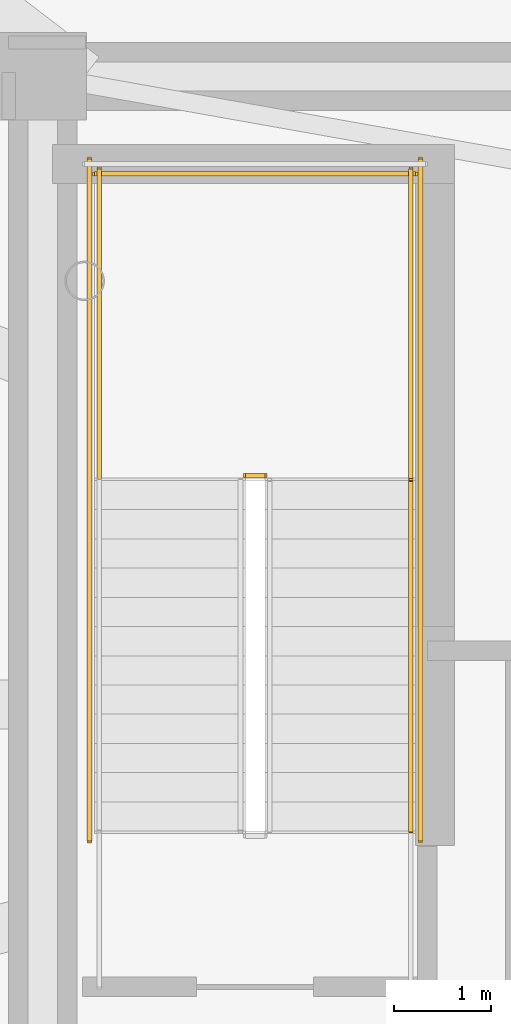
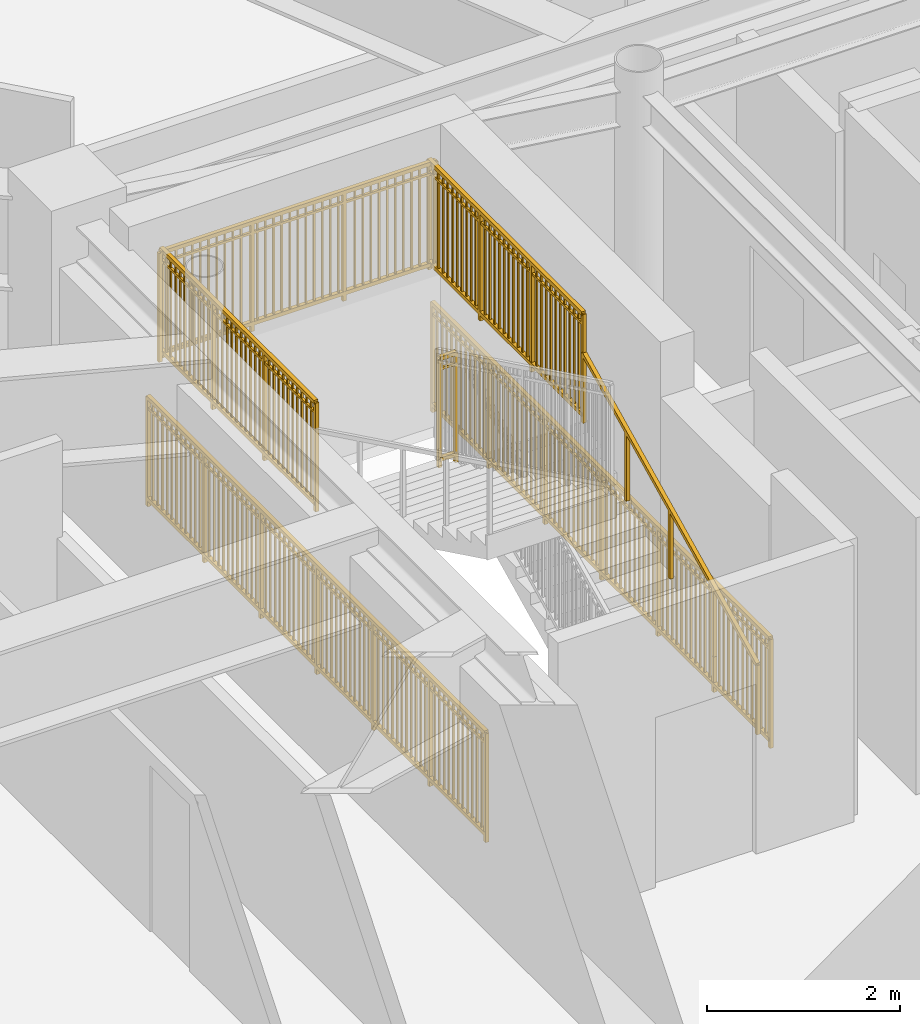
# One storey, part 15 of 16: 7 railings.
"""IFC4 building model written with IfcOpenShell, lengths in metres."""

import ifcopenshell
import ifcopenshell.guid

model = None  # the IFC model being written
_history = None  # IfcOwnerHistory: only IFC2X3 demands one
_inside = {}  # id of a spatial element -> (the spatial element, [elements in it])
_under = {}  # id of a project, library or spatial element -> (it, [spatial elements below it])
_declared = {}  # id of a project -> (the project, [libraries it declares])
_typed = {}  # id of a type object -> (the type object, [elements of that type])
_made_of = {}  # id of a material, layer set ... -> (it, [elements and type objects made of it])


def new_model(schema):
    """Start an empty IFC model of exactly this schema.

    Asked for "IFC4X3", IfcOpenShell would pick the latest addendum, in which some entities
    have other attributes; the version numbers below select the first issue.
    IFC2X3 requires an IfcOwnerHistory on every rooted entity: one is made here for all.
    """
    global model, _history
    if schema == "IFC4X3":
        model = ifcopenshell.file(schema_version=(4, 3, 0, 0))
    else:
        model = ifcopenshell.file(schema=schema)
    _inside.clear()
    _under.clear()
    _declared.clear()
    _typed.clear()
    _made_of.clear()
    _history = None
    if model.schema == "IFC2X3":
        org = make("IfcOrganization", Name="unknown")
        user = make(
            "IfcPersonAndOrganization",
            ThePerson=make("IfcPerson", FamilyName="unknown"),
            TheOrganization=org,
        )
        app = make(
            "IfcApplication",
            ApplicationDeveloper=org,
            Version="unknown",
            ApplicationFullName="unknown",
            ApplicationIdentifier="unknown",
        )
        _history = make(
            "IfcOwnerHistory",
            OwningUser=user,
            OwningApplication=app,
            ChangeAction="ADDED",
            CreationDate=0,
        )
    return model


def make(cls, **values):
    """One entity of the class cls with the attributes given. An attribute that is None is left unset."""
    return model.create_entity(
        cls, **{name: value for name, value in values.items() if value is not None}
    )


def rooted(cls, **values):
    """An entity with a GlobalId (a new one), such as an element, a storey or a relation."""
    return make(cls, GlobalId=ifcopenshell.guid.new(), OwnerHistory=_history, **values)


def si_unit(unit_type, name, prefix=None):
    """IfcSIUnit, for example si_unit("LENGTHUNIT", "METRE", prefix="MILLI")."""
    return make("IfcSIUnit", UnitType=unit_type, Prefix=prefix, Name=name)


def assignment(units):
    """IfcUnitAssignment: the units of a project."""
    return None if units is None else make("IfcUnitAssignment", Units=units)


def point(xyz):
    """IfcCartesianPoint."""
    return None if xyz is None else make("IfcCartesianPoint", Coordinates=xyz)


def direction(xyz):
    """IfcDirection."""
    return None if xyz is None else make("IfcDirection", DirectionRatios=xyz)


def frame(location, z_axis=None, x_axis=None):
    """IfcAxis2Placement3D, a coordinate frame: its origin and axes. An axis left out is left unset."""
    return make(
        "IfcAxis2Placement3D",
        Location=point(location),
        Axis=direction(z_axis),
        RefDirection=direction(x_axis),
    )


def frame_2d(location, x_axis=None):
    """IfcAxis2Placement2D, a coordinate frame in the plane: its origin and x axis."""
    return make(
        "IfcAxis2Placement2D", Location=point(location), RefDirection=direction(x_axis)
    )


def origin():
    """The frame at (0, 0, 0) with its axes left unset."""
    return frame((0.0, 0.0, 0.0))


def origin_2d():
    """The frame at (0, 0) in the plane with its x axis left unset."""
    return frame_2d((0.0, 0.0))


def place(relative_to, where):
    """IfcLocalPlacement: puts the frame where relative to a parent placement (None: the world)."""
    return make(
        "IfcLocalPlacement", PlacementRelTo=relative_to, RelativePlacement=where
    )


def context(
    kind, dimensions, precision=None, world=None, true_north=None, identifier=None
):
    """IfcGeometricRepresentationContext, for example the 3D "Model" context."""
    return make(
        "IfcGeometricRepresentationContext",
        ContextIdentifier=identifier,
        ContextType=kind,
        CoordinateSpaceDimension=dimensions,
        Precision=precision,
        WorldCoordinateSystem=world,
        TrueNorth=true_north,
    )


def subcontext(parent, identifier, kind, view, scale=None):
    """IfcGeometricRepresentationSubContext, for example "Body" below "Model"."""
    return make(
        "IfcGeometricRepresentationSubContext",
        ContextIdentifier=identifier,
        ContextType=kind,
        ParentContext=parent,
        TargetScale=scale,
        TargetView=view,
    )


def project(units=None, contexts=None):
    """IfcProject with its units and contexts."""
    return rooted(
        "IfcProject",
        Name="project",
        RepresentationContexts=contexts,
        UnitsInContext=assignment(units),
    )


def spatial(cls, under=None, at=None, **own):
    """A site, building, storey or space (cls), placed at a placement, below another one or the project."""
    s = rooted(cls, ObjectPlacement=at, **own)
    if under is not None:
        _under.setdefault(under.id(), (under, []))[1].append(s)
    return s


def profile(cls, at=None, kind="AREA", **sizes):
    """A parametric profile (cls). Its sizes go by their IFC names, for example OverallWidth=200.0."""
    return make(cls, ProfileType=kind, Position=at, **sizes)


def rectangle(**sizes):
    """IfcRectangleProfileDef."""
    return profile("IfcRectangleProfileDef", **sizes)


def extrude(swept, where, along, depth):
    """IfcExtrudedAreaSolid: the profile swept, set in the frame where, extruded along a direction by depth."""
    return make(
        "IfcExtrudedAreaSolid",
        SweptArea=swept,
        Position=where,
        ExtrudedDirection=direction(along),
        Depth=depth,
    )


def shape(context_of_items, identifier, shape_type, items):
    """IfcShapeRepresentation: the items that make up one representation, for example the "Body"."""
    return make(
        "IfcShapeRepresentation",
        ContextOfItems=context_of_items,
        RepresentationIdentifier=identifier,
        RepresentationType=shape_type,
        Items=items,
    )


def source(mapping_origin, context_of_items, identifier, shape_type, items):
    """IfcRepresentationMap: a shape defined once, which mapped items show again and again."""
    return make(
        "IfcRepresentationMap",
        MappingOrigin=mapping_origin,
        MappedRepresentation=shape(context_of_items, identifier, shape_type, items),
    )


def transform(
    local_origin,
    x_axis=None,
    y_axis=None,
    z_axis=None,
    scale=None,
    scale2=None,
    scale3=None,
    uniform=True,
):
    """IfcCartesianTransformationOperator3D, or its non-uniform kind. x_axis, y_axis, z_axis: its Axis1, 2, 3."""
    if uniform:
        return make(
            "IfcCartesianTransformationOperator3D",
            Axis1=direction(x_axis),
            Axis2=direction(y_axis),
            LocalOrigin=point(local_origin),
            Scale=scale,
            Axis3=direction(z_axis),
        )
    return make(
        "IfcCartesianTransformationOperator3DnonUniform",
        Axis1=direction(x_axis),
        Axis2=direction(y_axis),
        LocalOrigin=point(local_origin),
        Scale=scale,
        Axis3=direction(z_axis),
        Scale2=scale2,
        Scale3=scale3,
    )


def mapped(mapping_source, mapping_target):
    """IfcMappedItem: shows the shape of a source again, moved by a transform."""
    return make(
        "IfcMappedItem", MappingSource=mapping_source, MappingTarget=mapping_target
    )


def material(Name=None, Category=None):
    """IfcMaterial."""
    return make("IfcMaterial", Name=Name, Category=Category)


def made_of(thing, what):
    """Note that an element or type object is made of a material, layer set ...; save() writes the relation."""
    if what is not None:
        _made_of.setdefault(what.id(), (what, []))[1].append(thing)
    return thing


def type_object(cls, material=None, **own):
    """A type object (cls), such as IfcWallType, which elements share."""
    return made_of(rooted(cls, **own), material)


def element(
    cls,
    number,
    at=None,
    inside=None,
    cuts=None,
    type_object=None,
    material=None,
    context=None,
    identifier="Body",
    shape_type=None,
    held_by="IfcProductDefinitionShape",
    body=None,
    shapes=None,
    **own,
):
    """One element of the class cls, such as IfcWall. Its Tag is "e" and its number.

    at: its placement. inside: the storey or other place that contains it. cuts: it is an
    opening in that element (IfcRelVoidsElement). A single representation is given by context,
    identifier, shape_type and body (its items); several are given by shapes. held_by: the class
    of the entity that holds the representations. save() writes the other relations.
    """
    e = rooted(cls, Tag="e%d" % number, ObjectPlacement=at, **own)
    if body is not None:
        shapes = [shape(context, identifier, shape_type, body)]
    if shapes is not None:
        e.Representation = make(held_by, Representations=shapes)
    if inside is not None:
        _inside.setdefault(inside.id(), (inside, []))[1].append(e)
    if cuts is not None:
        rooted(
            "IfcRelVoidsElement", RelatingBuildingElement=cuts, RelatedOpeningElement=e
        )
    if type_object is not None:
        _typed.setdefault(type_object.id(), (type_object, []))[1].append(e)
    return made_of(e, material)


def aggregate(whole, parts):
    """IfcRelAggregates: a whole, such as a stair, and the parts it consists of."""
    return rooted("IfcRelAggregates", RelatingObject=whole, RelatedObjects=parts)


def save(model, path):
    """Write the relations noted so far, then the file.

    IfcRelAggregates (storeys below a building ...), IfcRelContainedInSpatialStructure (elements
    in a storey), IfcRelDefinesByType, IfcRelAssociatesMaterial and IfcRelDeclares: one each for
    every whole, place, type object, material and project.
    """
    for whole, parts in _under.values():
        aggregate(whole, parts)
    for where, things in _inside.values():
        rooted(
            "IfcRelContainedInSpatialStructure",
            RelatedElements=things,
            RelatingStructure=where,
        )
    for kind, things in _typed.values():
        rooted("IfcRelDefinesByType", RelatedObjects=things, RelatingType=kind)
    for what, things in _made_of.values():
        rooted("IfcRelAssociatesMaterial", RelatedObjects=things, RelatingMaterial=what)
    for by, libraries in _declared.values():
        rooted("IfcRelDeclares", RelatingContext=by, RelatedDefinitions=libraries)
    model.write(path)


model = new_model("IFC4")

# Units and contexts
model_context = context("Model", 3, precision=1e-05, world=origin(), true_north=direction((0.0, 1.0)))
body_context = subcontext(model_context, "Body", "Model", "MODEL_VIEW")
ifc_project = project(units=[si_unit("LENGTHUNIT", "METRE"), si_unit("AREAUNIT", "SQUARE_METRE"), si_unit("VOLUMEUNIT", "CUBIC_METRE"), si_unit("PLANEANGLEUNIT", "RADIAN"), si_unit("MASSUNIT", "GRAM", prefix="KILO")], contexts=[model_context])

# Site, building, storey
site_placement = place(None, origin())
site = spatial("IfcSite", under=ifc_project, at=site_placement, CompositionType="ELEMENT")
building_placement = place(site_placement, origin())
building = spatial("IfcBuilding", under=site, at=building_placement, Name="Linh Dai School and Residence Tower", CompositionType="ELEMENT")
storey_placement = place(building_placement, frame((0.0, 0.0, 343.0)))
storey = spatial("IfcBuildingStorey", under=building, at=storey_placement, Name="L85", CompositionType="ELEMENT", Elevation=343.0)

# Railings
ifc_material_1 = material(Name="Structural Steel S355JR", Category="steel")
railing_type_1 = type_object("IfcRailingType", Name="RL-ST-GUARD-1400", PredefinedType="GUARDRAIL", material=ifc_material_1)
shared_shape_1 = source(origin(), body_context, "Body", "SweptSolid", [
    extrude(rectangle(XDim=0.048095703125, YDim=0.048095703125, at=origin_2d()), frame((0.0, 0.0, 1.3759765625), z_axis=(-1.0, 0.0, 0.0), x_axis=(0.0, -1.0, 0.0)), (0.0, 0.0, 1.0), 0.199951171875),
    extrude(rectangle(XDim=0.048095703125, YDim=0.048095703125, at=origin_2d()), frame((0.0, 0.0, 0.10009765625), z_axis=(-1.0, 0.0, 0.0), x_axis=(0.0, -1.0, 0.0)), (0.0, 0.0, 1.0), 0.199951171875),
    extrude(rectangle(XDim=0.030029296875, YDim=0.030029296875, at=origin_2d()), frame((0.0, 0.0, 1.239990234375), z_axis=(-1.0, 0.0, 0.0), x_axis=(0.0, -1.0, 0.0)), (0.0, 0.0, 1.0), 0.199951171875),
    extrude(rectangle(XDim=0.0419921875, YDim=0.0419921875, at=origin_2d()), origin(), (0.0, 0.0, 1.0), 1.3759765625),
    extrude(rectangle(XDim=0.0419921875, YDim=0.0419921875, at=origin_2d()), frame((-0.199951171875, 0.0, 0.0)), (0.0, 0.0, 1.0), 1.3759765625),
])
railing_1_placement = place(storey_placement, frame((29.429931640625, 29.35009765625, 1.89990234375)))
element("IfcRailing", 1, at=railing_1_placement, inside=storey, type_object=railing_type_1, Name="L85 ST1 stair guard 2", PredefinedType="GUARDRAIL", context=body_context, shape_type="MappedRepresentation", body=[
    mapped(shared_shape_1, transform((0.0, 0.0, 0.0), x_axis=(1.0, 0.0, 0.0), y_axis=(0.0, 1.0, 0.0), z_axis=(0.0, 0.0, 1.0), scale=1.0)),
])
shared_shape_2 = source(origin(), body_context, "Body", "SweptSolid", [
    extrude(rectangle(XDim=0.048095703125, YDim=0.048095703125, at=origin_2d()), frame((0.0, 0.0, 1.3759765625), z_axis=(-1.0, 0.0, 0.0), x_axis=(0.0, -1.0, 0.0)), (0.0, 0.0, 1.0), 3.300048828125),
    extrude(rectangle(XDim=0.048095703125, YDim=0.048095703125, at=origin_2d()), frame((0.0, 0.0, 0.10009765625), z_axis=(-1.0, 0.0, 0.0), x_axis=(0.0, -1.0, 0.0)), (0.0, 0.0, 1.0), 3.300048828125),
    extrude(rectangle(XDim=0.030029296875, YDim=0.030029296875, at=origin_2d()), frame((0.0, 0.0, 1.239990234375), z_axis=(-1.0, 0.0, 0.0), x_axis=(0.0, -1.0, 0.0)), (0.0, 0.0, 1.0), 3.300048828125),
    extrude(rectangle(XDim=0.02001953125, YDim=0.02001953125, at=origin_2d()), frame((-0.09716796875, 0.0, 0.10009765625)), (0.0, 0.0, 1.0), 1.251708984375),
    extrude(rectangle(XDim=0.02001953125, YDim=0.02001953125, at=origin_2d()), frame((-0.194091796875, 0.0, 0.10009765625)), (0.0, 0.0, 1.0), 1.251708984375),
    extrude(rectangle(XDim=0.02001953125, YDim=0.02001953125, at=origin_2d()), frame((-0.291259765625, 0.0, 0.10009765625)), (0.0, 0.0, 1.0), 1.251708984375),
    extrude(rectangle(XDim=0.02001953125, YDim=0.02001953125, at=origin_2d()), frame((-0.38818359375, 0.0, 0.10009765625)), (0.0, 0.0, 1.0), 1.251708984375),
    extrude(rectangle(XDim=0.02001953125, YDim=0.02001953125, at=origin_2d()), frame((-0.4853515625, 0.0, 0.10009765625)), (0.0, 0.0, 1.0), 1.251708984375),
    extrude(rectangle(XDim=0.02001953125, YDim=0.02001953125, at=origin_2d()), frame((-0.582275390625, 0.0, 0.10009765625)), (0.0, 0.0, 1.0), 1.251708984375),
    extrude(rectangle(XDim=0.02001953125, YDim=0.02001953125, at=origin_2d()), frame((-0.679443359375, 0.0, 0.10009765625)), (0.0, 0.0, 1.0), 1.251708984375),
    extrude(rectangle(XDim=0.02001953125, YDim=0.02001953125, at=origin_2d()), frame((-0.7763671875, 0.0, 0.10009765625)), (0.0, 0.0, 1.0), 1.251708984375),
    extrude(rectangle(XDim=0.02001953125, YDim=0.02001953125, at=origin_2d()), frame((-0.87353515625, 0.0, 0.10009765625)), (0.0, 0.0, 1.0), 1.251708984375),
    extrude(rectangle(XDim=0.02001953125, YDim=0.02001953125, at=origin_2d()), frame((-0.970703125, 0.0, 0.10009765625)), (0.0, 0.0, 1.0), 1.251708984375),
    extrude(rectangle(XDim=0.02001953125, YDim=0.02001953125, at=origin_2d()), frame((-1.164794921875, 0.0, 0.10009765625)), (0.0, 0.0, 1.0), 1.251708984375),
    extrude(rectangle(XDim=0.02001953125, YDim=0.02001953125, at=origin_2d()), frame((-1.26171875, 0.0, 0.10009765625)), (0.0, 0.0, 1.0), 1.251708984375),
    extrude(rectangle(XDim=0.02001953125, YDim=0.02001953125, at=origin_2d()), frame((-1.35888671875, 0.0, 0.10009765625)), (0.0, 0.0, 1.0), 1.251708984375),
    extrude(rectangle(XDim=0.02001953125, YDim=0.02001953125, at=origin_2d()), frame((-1.455810546875, 0.0, 0.10009765625)), (0.0, 0.0, 1.0), 1.251708984375),
    extrude(rectangle(XDim=0.02001953125, YDim=0.02001953125, at=origin_2d()), frame((-1.552978515625, 0.0, 0.10009765625)), (0.0, 0.0, 1.0), 1.251708984375),
    extrude(rectangle(XDim=0.02001953125, YDim=0.02001953125, at=origin_2d()), frame((-1.64990234375, 0.0, 0.10009765625)), (0.0, 0.0, 1.0), 1.251708984375),
    extrude(rectangle(XDim=0.02001953125, YDim=0.02001953125, at=origin_2d()), frame((-1.7470703125, 0.0, 0.10009765625)), (0.0, 0.0, 1.0), 1.251708984375),
    extrude(rectangle(XDim=0.02001953125, YDim=0.02001953125, at=origin_2d()), frame((-1.84423828125, 0.0, 0.10009765625)), (0.0, 0.0, 1.0), 1.251708984375),
    extrude(rectangle(XDim=0.02001953125, YDim=0.02001953125, at=origin_2d()), frame((-1.941162109375, 0.0, 0.10009765625)), (0.0, 0.0, 1.0), 1.251708984375),
    extrude(rectangle(XDim=0.02001953125, YDim=0.02001953125, at=origin_2d()), frame((-2.038330078125, 0.0, 0.10009765625)), (0.0, 0.0, 1.0), 1.251708984375),
    extrude(rectangle(XDim=0.02001953125, YDim=0.02001953125, at=origin_2d()), frame((-2.13525390625, 0.0, 0.10009765625)), (0.0, 0.0, 1.0), 1.251708984375),
    extrude(rectangle(XDim=0.02001953125, YDim=0.02001953125, at=origin_2d()), frame((-2.329345703125, 0.0, 0.10009765625)), (0.0, 0.0, 1.0), 1.251708984375),
    extrude(rectangle(XDim=0.02001953125, YDim=0.02001953125, at=origin_2d()), frame((-2.426513671875, 0.0, 0.10009765625)), (0.0, 0.0, 1.0), 1.251708984375),
    extrude(rectangle(XDim=0.02001953125, YDim=0.02001953125, at=origin_2d()), frame((-2.523681640625, 0.0, 0.10009765625)), (0.0, 0.0, 1.0), 1.251708984375),
    extrude(rectangle(XDim=0.02001953125, YDim=0.02001953125, at=origin_2d()), frame((-2.62060546875, 0.0, 0.10009765625)), (0.0, 0.0, 1.0), 1.251708984375),
    extrude(rectangle(XDim=0.02001953125, YDim=0.02001953125, at=origin_2d()), frame((-2.7177734375, 0.0, 0.10009765625)), (0.0, 0.0, 1.0), 1.251708984375),
    extrude(rectangle(XDim=0.02001953125, YDim=0.02001953125, at=origin_2d()), frame((-2.814697265625, 0.0, 0.10009765625)), (0.0, 0.0, 1.0), 1.251708984375),
    extrude(rectangle(XDim=0.02001953125, YDim=0.02001953125, at=origin_2d()), frame((-2.911865234375, 0.0, 0.10009765625)), (0.0, 0.0, 1.0), 1.251708984375),
    extrude(rectangle(XDim=0.02001953125, YDim=0.02001953125, at=origin_2d()), frame((-3.0087890625, 0.0, 0.10009765625)), (0.0, 0.0, 1.0), 1.251708984375),
    extrude(rectangle(XDim=0.02001953125, YDim=0.02001953125, at=origin_2d()), frame((-3.10595703125, 0.0, 0.10009765625)), (0.0, 0.0, 1.0), 1.251708984375),
    extrude(rectangle(XDim=0.02001953125, YDim=0.02001953125, at=origin_2d()), frame((-3.202880859375, 0.0, 0.10009765625)), (0.0, 0.0, 1.0), 1.251708984375),
    extrude(rectangle(XDim=0.0419921875, YDim=0.0419921875, at=origin_2d()), origin(), (0.0, 0.0, 1.0), 1.3759765625),
    extrude(rectangle(XDim=0.0419921875, YDim=0.0419921875, at=origin_2d()), frame((-1.10009765625, 0.0, 0.0)), (0.0, 0.0, 1.0), 1.3759765625),
    extrude(rectangle(XDim=0.0419921875, YDim=0.0419921875, at=origin_2d()), frame((-2.199951171875, 0.0, 0.0)), (0.0, 0.0, 1.0), 1.3759765625),
    extrude(rectangle(XDim=0.0419921875, YDim=0.0419921875, at=origin_2d()), frame((-3.300048828125, 0.0, 0.0)), (0.0, 0.0, 1.0), 1.3759765625),
])
railing_2_placement = place(storey_placement, frame((30.97998046875, 32.449951171875, 1.89990234375)))
element("IfcRailing", 2, at=railing_2_placement, inside=storey, type_object=railing_type_1, Name="L85 ST1 stair guard 5", PredefinedType="GUARDRAIL", context=body_context, shape_type="MappedRepresentation", body=[
    mapped(shared_shape_2, transform((0.0, 0.0, 0.0), x_axis=(1.0, 0.0, 0.0), y_axis=(0.0, 1.0, 0.0), z_axis=(0.0, 0.0, 1.0), scale=1.0)),
])
shared_shape_3 = source(origin(), body_context, "Body", "SweptSolid", [
    extrude(rectangle(XDim=0.048095703125, YDim=0.048095703125, at=origin_2d()), frame((0.0, 0.0, 1.3759765625), z_axis=(0.0, 1.0, 0.0), x_axis=(-1.0, 0.0, 0.0)), (0.0, 0.0, 1.0), 7.0),
    extrude(rectangle(XDim=0.048095703125, YDim=0.048095703125, at=origin_2d()), frame((0.0, 0.0, 0.10009765625), z_axis=(0.0, 1.0, 0.0), x_axis=(-1.0, 0.0, 0.0)), (0.0, 0.0, 1.0), 7.0),
    extrude(rectangle(XDim=0.030029296875, YDim=0.030029296875, at=origin_2d()), frame((0.0, 0.0, 1.239990234375), z_axis=(0.0, 1.0, 0.0), x_axis=(-1.0, 0.0, 0.0)), (0.0, 0.0, 1.0), 7.0),
    extrude(rectangle(XDim=0.02001953125, YDim=0.02001953125, at=origin_2d()), frame((0.0, 0.09716796875, 0.10009765625)), (0.0, 0.0, 1.0), 1.251708984375),
    extrude(rectangle(XDim=0.02001953125, YDim=0.02001953125, at=origin_2d()), frame((0.0, 0.1943359375, 0.10009765625)), (0.0, 0.0, 1.0), 1.251708984375),
    extrude(rectangle(XDim=0.02001953125, YDim=0.02001953125, at=origin_2d()), frame((0.0, 0.291748046875, 0.10009765625)), (0.0, 0.0, 1.0), 1.251708984375),
    extrude(rectangle(XDim=0.02001953125, YDim=0.02001953125, at=origin_2d()), frame((0.0, 0.388916015625, 0.10009765625)), (0.0, 0.0, 1.0), 1.251708984375),
    extrude(rectangle(XDim=0.02001953125, YDim=0.02001953125, at=origin_2d()), frame((0.0, 0.486083984375, 0.10009765625)), (0.0, 0.0, 1.0), 1.251708984375),
    extrude(rectangle(XDim=0.02001953125, YDim=0.02001953125, at=origin_2d()), frame((0.0, 0.583251953125, 0.10009765625)), (0.0, 0.0, 1.0), 1.251708984375),
    extrude(rectangle(XDim=0.02001953125, YDim=0.02001953125, at=origin_2d()), frame((0.0, 0.6806640625, 0.10009765625)), (0.0, 0.0, 1.0), 1.251708984375),
    extrude(rectangle(XDim=0.02001953125, YDim=0.02001953125, at=origin_2d()), frame((0.0, 0.77783203125, 0.10009765625)), (0.0, 0.0, 1.0), 1.251708984375),
    extrude(rectangle(XDim=0.02001953125, YDim=0.02001953125, at=origin_2d()), frame((0.0, 0.875, 0.10009765625)), (0.0, 0.0, 1.0), 1.251708984375),
    extrude(rectangle(XDim=0.02001953125, YDim=0.02001953125, at=origin_2d()), frame((0.0, 0.97216796875, 0.10009765625)), (0.0, 0.0, 1.0), 1.251708984375),
    extrude(rectangle(XDim=0.02001953125, YDim=0.02001953125, at=origin_2d()), frame((0.0, 1.0693359375, 0.10009765625)), (0.0, 0.0, 1.0), 1.251708984375),
    extrude(rectangle(XDim=0.02001953125, YDim=0.02001953125, at=origin_2d()), frame((0.0, 1.263916015625, 0.10009765625)), (0.0, 0.0, 1.0), 1.251708984375),
    extrude(rectangle(XDim=0.02001953125, YDim=0.02001953125, at=origin_2d()), frame((0.0, 1.361083984375, 0.10009765625)), (0.0, 0.0, 1.0), 1.251708984375),
    extrude(rectangle(XDim=0.02001953125, YDim=0.02001953125, at=origin_2d()), frame((0.0, 1.458251953125, 0.10009765625)), (0.0, 0.0, 1.0), 1.251708984375),
    extrude(rectangle(XDim=0.02001953125, YDim=0.02001953125, at=origin_2d()), frame((0.0, 1.5556640625, 0.10009765625)), (0.0, 0.0, 1.0), 1.251708984375),
    extrude(rectangle(XDim=0.02001953125, YDim=0.02001953125, at=origin_2d()), frame((0.0, 1.65283203125, 0.10009765625)), (0.0, 0.0, 1.0), 1.251708984375),
    extrude(rectangle(XDim=0.02001953125, YDim=0.02001953125, at=origin_2d()), frame((0.0, 1.75, 0.10009765625)), (0.0, 0.0, 1.0), 1.251708984375),
    extrude(rectangle(XDim=0.02001953125, YDim=0.02001953125, at=origin_2d()), frame((0.0, 1.84716796875, 0.10009765625)), (0.0, 0.0, 1.0), 1.251708984375),
    extrude(rectangle(XDim=0.02001953125, YDim=0.02001953125, at=origin_2d()), frame((0.0, 1.9443359375, 0.10009765625)), (0.0, 0.0, 1.0), 1.251708984375),
    extrude(rectangle(XDim=0.02001953125, YDim=0.02001953125, at=origin_2d()), frame((0.0, 2.041748046875, 0.10009765625)), (0.0, 0.0, 1.0), 1.251708984375),
    extrude(rectangle(XDim=0.02001953125, YDim=0.02001953125, at=origin_2d()), frame((0.0, 2.138916015625, 0.10009765625)), (0.0, 0.0, 1.0), 1.251708984375),
    extrude(rectangle(XDim=0.02001953125, YDim=0.02001953125, at=origin_2d()), frame((0.0, 2.236083984375, 0.10009765625)), (0.0, 0.0, 1.0), 1.251708984375),
    extrude(rectangle(XDim=0.02001953125, YDim=0.02001953125, at=origin_2d()), frame((0.0, 2.4306640625, 0.10009765625)), (0.0, 0.0, 1.0), 1.251708984375),
    extrude(rectangle(XDim=0.02001953125, YDim=0.02001953125, at=origin_2d()), frame((0.0, 2.52783203125, 0.10009765625)), (0.0, 0.0, 1.0), 1.251708984375),
    extrude(rectangle(XDim=0.02001953125, YDim=0.02001953125, at=origin_2d()), frame((0.0, 2.625, 0.10009765625)), (0.0, 0.0, 1.0), 1.251708984375),
    extrude(rectangle(XDim=0.02001953125, YDim=0.02001953125, at=origin_2d()), frame((0.0, 2.72216796875, 0.10009765625)), (0.0, 0.0, 1.0), 1.251708984375),
    extrude(rectangle(XDim=0.02001953125, YDim=0.02001953125, at=origin_2d()), frame((0.0, 2.8193359375, 0.10009765625)), (0.0, 0.0, 1.0), 1.251708984375),
    extrude(rectangle(XDim=0.02001953125, YDim=0.02001953125, at=origin_2d()), frame((0.0, 2.916748046875, 0.10009765625)), (0.0, 0.0, 1.0), 1.251708984375),
    extrude(rectangle(XDim=0.02001953125, YDim=0.02001953125, at=origin_2d()), frame((0.0, 3.013916015625, 0.10009765625)), (0.0, 0.0, 1.0), 1.251708984375),
    extrude(rectangle(XDim=0.02001953125, YDim=0.02001953125, at=origin_2d()), frame((0.0, 3.111083984375, 0.10009765625)), (0.0, 0.0, 1.0), 1.251708984375),
    extrude(rectangle(XDim=0.02001953125, YDim=0.02001953125, at=origin_2d()), frame((0.0, 3.208251953125, 0.10009765625)), (0.0, 0.0, 1.0), 1.251708984375),
    extrude(rectangle(XDim=0.02001953125, YDim=0.02001953125, at=origin_2d()), frame((0.0, 3.3056640625, 0.10009765625)), (0.0, 0.0, 1.0), 1.251708984375),
    extrude(rectangle(XDim=0.02001953125, YDim=0.02001953125, at=origin_2d()), frame((0.0, 3.40283203125, 0.10009765625)), (0.0, 0.0, 1.0), 1.251708984375),
    extrude(rectangle(XDim=0.02001953125, YDim=0.02001953125, at=origin_2d()), frame((0.0, 3.59716796875, 0.10009765625)), (0.0, 0.0, 1.0), 1.251708984375),
    extrude(rectangle(XDim=0.02001953125, YDim=0.02001953125, at=origin_2d()), frame((0.0, 3.6943359375, 0.10009765625)), (0.0, 0.0, 1.0), 1.251708984375),
    extrude(rectangle(XDim=0.02001953125, YDim=0.02001953125, at=origin_2d()), frame((0.0, 3.791748046875, 0.10009765625)), (0.0, 0.0, 1.0), 1.251708984375),
    extrude(rectangle(XDim=0.02001953125, YDim=0.02001953125, at=origin_2d()), frame((0.0, 3.888916015625, 0.10009765625)), (0.0, 0.0, 1.0), 1.251708984375),
    extrude(rectangle(XDim=0.02001953125, YDim=0.02001953125, at=origin_2d()), frame((0.0, 3.986083984375, 0.10009765625)), (0.0, 0.0, 1.0), 1.251708984375),
    extrude(rectangle(XDim=0.02001953125, YDim=0.02001953125, at=origin_2d()), frame((0.0, 4.083251953125, 0.10009765625)), (0.0, 0.0, 1.0), 1.251708984375),
    extrude(rectangle(XDim=0.02001953125, YDim=0.02001953125, at=origin_2d()), frame((0.0, 4.1806640625, 0.10009765625)), (0.0, 0.0, 1.0), 1.251708984375),
    extrude(rectangle(XDim=0.02001953125, YDim=0.02001953125, at=origin_2d()), frame((0.0, 4.27783203125, 0.10009765625)), (0.0, 0.0, 1.0), 1.251708984375),
    extrude(rectangle(XDim=0.02001953125, YDim=0.02001953125, at=origin_2d()), frame((0.0, 4.375, 0.10009765625)), (0.0, 0.0, 1.0), 1.251708984375),
    extrude(rectangle(XDim=0.02001953125, YDim=0.02001953125, at=origin_2d()), frame((0.0, 4.47216796875, 0.10009765625)), (0.0, 0.0, 1.0), 1.251708984375),
    extrude(rectangle(XDim=0.02001953125, YDim=0.02001953125, at=origin_2d()), frame((0.0, 4.5693359375, 0.10009765625)), (0.0, 0.0, 1.0), 1.251708984375),
    extrude(rectangle(XDim=0.02001953125, YDim=0.02001953125, at=origin_2d()), frame((0.0, 4.763916015625, 0.10009765625)), (0.0, 0.0, 1.0), 1.251708984375),
    extrude(rectangle(XDim=0.02001953125, YDim=0.02001953125, at=origin_2d()), frame((0.0, 4.861083984375, 0.10009765625)), (0.0, 0.0, 1.0), 1.251708984375),
    extrude(rectangle(XDim=0.02001953125, YDim=0.02001953125, at=origin_2d()), frame((0.0, 4.958251953125, 0.10009765625)), (0.0, 0.0, 1.0), 1.251708984375),
    extrude(rectangle(XDim=0.02001953125, YDim=0.02001953125, at=origin_2d()), frame((0.0, 5.0556640625, 0.10009765625)), (0.0, 0.0, 1.0), 1.251708984375),
    extrude(rectangle(XDim=0.02001953125, YDim=0.02001953125, at=origin_2d()), frame((0.0, 5.15283203125, 0.10009765625)), (0.0, 0.0, 1.0), 1.251708984375),
    extrude(rectangle(XDim=0.02001953125, YDim=0.02001953125, at=origin_2d()), frame((0.0, 5.25, 0.10009765625)), (0.0, 0.0, 1.0), 1.251708984375),
    extrude(rectangle(XDim=0.02001953125, YDim=0.02001953125, at=origin_2d()), frame((0.0, 5.34716796875, 0.10009765625)), (0.0, 0.0, 1.0), 1.251708984375),
    extrude(rectangle(XDim=0.02001953125, YDim=0.02001953125, at=origin_2d()), frame((0.0, 5.4443359375, 0.10009765625)), (0.0, 0.0, 1.0), 1.251708984375),
    extrude(rectangle(XDim=0.02001953125, YDim=0.02001953125, at=origin_2d()), frame((0.0, 5.541748046875, 0.10009765625)), (0.0, 0.0, 1.0), 1.251708984375),
    extrude(rectangle(XDim=0.02001953125, YDim=0.02001953125, at=origin_2d()), frame((0.0, 5.638916015625, 0.10009765625)), (0.0, 0.0, 1.0), 1.251708984375),
    extrude(rectangle(XDim=0.02001953125, YDim=0.02001953125, at=origin_2d()), frame((0.0, 5.736083984375, 0.10009765625)), (0.0, 0.0, 1.0), 1.251708984375),
    extrude(rectangle(XDim=0.02001953125, YDim=0.02001953125, at=origin_2d()), frame((0.0, 5.9306640625, 0.10009765625)), (0.0, 0.0, 1.0), 1.251708984375),
    extrude(rectangle(XDim=0.02001953125, YDim=0.02001953125, at=origin_2d()), frame((0.0, 6.02783203125, 0.10009765625)), (0.0, 0.0, 1.0), 1.251708984375),
    extrude(rectangle(XDim=0.02001953125, YDim=0.02001953125, at=origin_2d()), frame((0.0, 6.125, 0.10009765625)), (0.0, 0.0, 1.0), 1.251708984375),
    extrude(rectangle(XDim=0.02001953125, YDim=0.02001953125, at=origin_2d()), frame((0.0, 6.22216796875, 0.10009765625)), (0.0, 0.0, 1.0), 1.251708984375),
    extrude(rectangle(XDim=0.02001953125, YDim=0.02001953125, at=origin_2d()), frame((0.0, 6.3193359375, 0.10009765625)), (0.0, 0.0, 1.0), 1.251708984375),
    extrude(rectangle(XDim=0.02001953125, YDim=0.02001953125, at=origin_2d()), frame((0.0, 6.416748046875, 0.10009765625)), (0.0, 0.0, 1.0), 1.251708984375),
    extrude(rectangle(XDim=0.02001953125, YDim=0.02001953125, at=origin_2d()), frame((0.0, 6.513916015625, 0.10009765625)), (0.0, 0.0, 1.0), 1.251708984375),
    extrude(rectangle(XDim=0.02001953125, YDim=0.02001953125, at=origin_2d()), frame((0.0, 6.611083984375, 0.10009765625)), (0.0, 0.0, 1.0), 1.251708984375),
    extrude(rectangle(XDim=0.02001953125, YDim=0.02001953125, at=origin_2d()), frame((0.0, 6.708251953125, 0.10009765625)), (0.0, 0.0, 1.0), 1.251708984375),
    extrude(rectangle(XDim=0.02001953125, YDim=0.02001953125, at=origin_2d()), frame((0.0, 6.8056640625, 0.10009765625)), (0.0, 0.0, 1.0), 1.251708984375),
    extrude(rectangle(XDim=0.02001953125, YDim=0.02001953125, at=origin_2d()), frame((0.0, 6.90283203125, 0.10009765625)), (0.0, 0.0, 1.0), 1.251708984375),
    extrude(rectangle(XDim=0.0419921875, YDim=0.0419921875, at=origin_2d()), origin(), (0.0, 0.0, 1.0), 1.3759765625),
    extrude(rectangle(XDim=0.0419921875, YDim=0.0419921875, at=origin_2d()), frame((0.0, 1.166748046875, 0.0)), (0.0, 0.0, 1.0), 1.3759765625),
    extrude(rectangle(XDim=0.0419921875, YDim=0.0419921875, at=origin_2d()), frame((0.0, 2.333251953125, 0.0)), (0.0, 0.0, 1.0), 1.3759765625),
    extrude(rectangle(XDim=0.0419921875, YDim=0.0419921875, at=origin_2d()), frame((0.0, 3.5, 0.0)), (0.0, 0.0, 1.0), 1.3759765625),
    extrude(rectangle(XDim=0.0419921875, YDim=0.0419921875, at=origin_2d()), frame((0.0, 4.666748046875, 0.0)), (0.0, 0.0, 1.0), 1.3759765625),
    extrude(rectangle(XDim=0.0419921875, YDim=0.0419921875, at=origin_2d()), frame((0.0, 5.833251953125, 0.0)), (0.0, 0.0, 1.0), 1.3759765625),
    extrude(rectangle(XDim=0.0419921875, YDim=0.0419921875, at=origin_2d()), frame((0.0, 7.0, 0.0)), (0.0, 0.0, 1.0), 1.3759765625),
])
for number, where, name in (
    (3, (31.030029296875, 25.60009765625, 0.0), "L85 ST1 stair guard 10"),
    (4, (27.6298828125, 25.60009765625, 0.0), "L85 ST1 stair guard 11"),
):
    element("IfcRailing", number, at=place(storey_placement, frame(where)), inside=storey, type_object=railing_type_1, Name=name, PredefinedType="GUARDRAIL", context=body_context, shape_type="MappedRepresentation", body=[
        mapped(shared_shape_3, transform((0.0, 0.0, 0.0), x_axis=(1.0, 0.0, 0.0), y_axis=(0.0, 1.0, 0.0), z_axis=(0.0, 0.0, 1.0), scale=1.0)),
    ])
shared_shape_4 = source(origin(), body_context, "Body", "SweptSolid", [
    extrude(rectangle(XDim=0.048095703125, YDim=0.048095703125, at=origin_2d()), frame((0.0, 0.0, 1.3759765625), z_axis=(0.0, 1.0, 0.0), x_axis=(-1.0, 0.0, 0.0)), (0.0, 0.0, 1.0), 3.199951171875),
    extrude(rectangle(XDim=0.048095703125, YDim=0.048095703125, at=origin_2d()), frame((0.0, 0.0, 0.10009765625), z_axis=(0.0, 1.0, 0.0), x_axis=(-1.0, 0.0, 0.0)), (0.0, 0.0, 1.0), 3.199951171875),
    extrude(rectangle(XDim=0.030029296875, YDim=0.030029296875, at=origin_2d()), frame((0.0, 0.0, 1.239990234375), z_axis=(0.0, 1.0, 0.0), x_axis=(-1.0, 0.0, 0.0)), (0.0, 0.0, 1.0), 3.199951171875),
    extrude(rectangle(XDim=0.02001953125, YDim=0.02001953125, at=origin_2d()), frame((0.0, 0.096923828125, 0.10009765625)), (0.0, 0.0, 1.0), 1.251708984375),
    extrude(rectangle(XDim=0.02001953125, YDim=0.02001953125, at=origin_2d()), frame((0.0, 0.19384765625, 0.10009765625)), (0.0, 0.0, 1.0), 1.251708984375),
    extrude(rectangle(XDim=0.02001953125, YDim=0.02001953125, at=origin_2d()), frame((0.0, 0.291015625, 0.10009765625)), (0.0, 0.0, 1.0), 1.251708984375),
    extrude(rectangle(XDim=0.02001953125, YDim=0.02001953125, at=origin_2d()), frame((0.0, 0.387939453125, 0.10009765625)), (0.0, 0.0, 1.0), 1.251708984375),
    extrude(rectangle(XDim=0.02001953125, YDim=0.02001953125, at=origin_2d()), frame((0.0, 0.48486328125, 0.10009765625)), (0.0, 0.0, 1.0), 1.251708984375),
    extrude(rectangle(XDim=0.02001953125, YDim=0.02001953125, at=origin_2d()), frame((0.0, 0.581787109375, 0.10009765625)), (0.0, 0.0, 1.0), 1.251708984375),
    extrude(rectangle(XDim=0.02001953125, YDim=0.02001953125, at=origin_2d()), frame((0.0, 0.6787109375, 0.10009765625)), (0.0, 0.0, 1.0), 1.251708984375),
    extrude(rectangle(XDim=0.02001953125, YDim=0.02001953125, at=origin_2d()), frame((0.0, 0.775634765625, 0.10009765625)), (0.0, 0.0, 1.0), 1.251708984375),
    extrude(rectangle(XDim=0.02001953125, YDim=0.02001953125, at=origin_2d()), frame((0.0, 0.872802734375, 0.10009765625)), (0.0, 0.0, 1.0), 1.251708984375),
    extrude(rectangle(XDim=0.02001953125, YDim=0.02001953125, at=origin_2d()), frame((0.0, 0.9697265625, 0.10009765625)), (0.0, 0.0, 1.0), 1.251708984375),
    extrude(rectangle(XDim=0.02001953125, YDim=0.02001953125, at=origin_2d()), frame((0.0, 1.16357421875, 0.10009765625)), (0.0, 0.0, 1.0), 1.251708984375),
    extrude(rectangle(XDim=0.02001953125, YDim=0.02001953125, at=origin_2d()), frame((0.0, 1.260498046875, 0.10009765625)), (0.0, 0.0, 1.0), 1.251708984375),
    extrude(rectangle(XDim=0.02001953125, YDim=0.02001953125, at=origin_2d()), frame((0.0, 1.357666015625, 0.10009765625)), (0.0, 0.0, 1.0), 1.251708984375),
    extrude(rectangle(XDim=0.02001953125, YDim=0.02001953125, at=origin_2d()), frame((0.0, 1.45458984375, 0.10009765625)), (0.0, 0.0, 1.0), 1.251708984375),
    extrude(rectangle(XDim=0.02001953125, YDim=0.02001953125, at=origin_2d()), frame((0.0, 1.551513671875, 0.10009765625)), (0.0, 0.0, 1.0), 1.251708984375),
    extrude(rectangle(XDim=0.02001953125, YDim=0.02001953125, at=origin_2d()), frame((0.0, 1.6484375, 0.10009765625)), (0.0, 0.0, 1.0), 1.251708984375),
    extrude(rectangle(XDim=0.02001953125, YDim=0.02001953125, at=origin_2d()), frame((0.0, 1.745361328125, 0.10009765625)), (0.0, 0.0, 1.0), 1.251708984375),
    extrude(rectangle(XDim=0.02001953125, YDim=0.02001953125, at=origin_2d()), frame((0.0, 1.84228515625, 0.10009765625)), (0.0, 0.0, 1.0), 1.251708984375),
    extrude(rectangle(XDim=0.02001953125, YDim=0.02001953125, at=origin_2d()), frame((0.0, 1.939453125, 0.10009765625)), (0.0, 0.0, 1.0), 1.251708984375),
    extrude(rectangle(XDim=0.02001953125, YDim=0.02001953125, at=origin_2d()), frame((0.0, 2.036376953125, 0.10009765625)), (0.0, 0.0, 1.0), 1.251708984375),
    extrude(rectangle(XDim=0.02001953125, YDim=0.02001953125, at=origin_2d()), frame((0.0, 2.230224609375, 0.10009765625)), (0.0, 0.0, 1.0), 1.251708984375),
    extrude(rectangle(XDim=0.02001953125, YDim=0.02001953125, at=origin_2d()), frame((0.0, 2.3271484375, 0.10009765625)), (0.0, 0.0, 1.0), 1.251708984375),
    extrude(rectangle(XDim=0.02001953125, YDim=0.02001953125, at=origin_2d()), frame((0.0, 2.42431640625, 0.10009765625)), (0.0, 0.0, 1.0), 1.251708984375),
    extrude(rectangle(XDim=0.02001953125, YDim=0.02001953125, at=origin_2d()), frame((0.0, 2.521240234375, 0.10009765625)), (0.0, 0.0, 1.0), 1.251708984375),
    extrude(rectangle(XDim=0.02001953125, YDim=0.02001953125, at=origin_2d()), frame((0.0, 2.6181640625, 0.10009765625)), (0.0, 0.0, 1.0), 1.251708984375),
    extrude(rectangle(XDim=0.02001953125, YDim=0.02001953125, at=origin_2d()), frame((0.0, 2.715087890625, 0.10009765625)), (0.0, 0.0, 1.0), 1.251708984375),
    extrude(rectangle(XDim=0.02001953125, YDim=0.02001953125, at=origin_2d()), frame((0.0, 2.81201171875, 0.10009765625)), (0.0, 0.0, 1.0), 1.251708984375),
    extrude(rectangle(XDim=0.02001953125, YDim=0.02001953125, at=origin_2d()), frame((0.0, 2.908935546875, 0.10009765625)), (0.0, 0.0, 1.0), 1.251708984375),
    extrude(rectangle(XDim=0.02001953125, YDim=0.02001953125, at=origin_2d()), frame((0.0, 3.006103515625, 0.10009765625)), (0.0, 0.0, 1.0), 1.251708984375),
    extrude(rectangle(XDim=0.02001953125, YDim=0.02001953125, at=origin_2d()), frame((0.0, 3.10302734375, 0.10009765625)), (0.0, 0.0, 1.0), 1.251708984375),
    extrude(rectangle(XDim=0.0419921875, YDim=0.0419921875, at=origin_2d()), origin(), (0.0, 0.0, 1.0), 1.3759765625),
    extrude(rectangle(XDim=0.0419921875, YDim=0.0419921875, at=origin_2d()), frame((0.0, 1.066650390625, 0.0)), (0.0, 0.0, 1.0), 1.3759765625),
    extrude(rectangle(XDim=0.0419921875, YDim=0.0419921875, at=origin_2d()), frame((0.0, 2.13330078125, 0.0)), (0.0, 0.0, 1.0), 1.3759765625),
    extrude(rectangle(XDim=0.0419921875, YDim=0.0419921875, at=origin_2d()), frame((0.0, 3.199951171875, 0.0)), (0.0, 0.0, 1.0), 1.3759765625),
])
for number, where, name in (
    (5, (30.929931640625, 29.300048828125, 1.89990234375), "L85 ST1 stair guard 3"),
    (6, (27.72998046875, 29.300048828125, 1.89990234375), "L85 ST1 stair guard 4"),
):
    element("IfcRailing", number, at=place(storey_placement, frame(where)), inside=storey, type_object=railing_type_1, Name=name, PredefinedType="GUARDRAIL", context=body_context, shape_type="MappedRepresentation", body=[
        mapped(shared_shape_4, transform((0.0, 0.0, 0.0), x_axis=(1.0, 0.0, 0.0), y_axis=(0.0, 1.0, 0.0), z_axis=(0.0, 0.0, 1.0), scale=1.0)),
    ])
ifc_material_2 = material(Name="Brushed Stainless Steel Handrail", Category="steel")
railing_type_2 = type_object("IfcRailingType", Name="RL-ST-HANDRAIL-900", PredefinedType="HANDRAIL", material=ifc_material_2)
shared_shape_5 = source(origin(), body_context, "Body", "SweptSolid", [
    extrude(rectangle(XDim=0.048095703125, YDim=0.048095703125, at=origin_2d()), frame((0.0, 0.0, 0.8759765625), z_axis=(0.0, 0.899012640991, 0.437922677352), x_axis=(-1.0, 0.0, 0.0)), (0.0, 0.0, 1.0), 4.00439453125),
    extrude(rectangle(XDim=0.0419921875, YDim=0.0419921875, at=origin_2d()), origin(), (0.0, 0.0, 1.0), 0.8759765625),
    extrude(rectangle(XDim=0.0419921875, YDim=0.0419921875, at=origin_2d()), frame((0.0, 0.89990234375, 0.4384765625)), (0.0, 0.0, 1.0), 0.8759765625),
    extrude(rectangle(XDim=0.0419921875, YDim=0.0419921875, at=origin_2d()), frame((0.0, 1.800048828125, 0.876953125)), (0.0, 0.0, 1.0), 0.8759765625),
    extrude(rectangle(XDim=0.0419921875, YDim=0.0419921875, at=origin_2d()), frame((0.0, 2.7001953125, 1.315185546875)), (0.0, 0.0, 1.0), 0.8759765625),
    extrude(rectangle(XDim=0.0419921875, YDim=0.0419921875, at=origin_2d()), frame((0.0, 3.60009765625, 1.753662109375)), (0.0, 0.0, 1.0), 0.8759765625),
])
railing_3_placement = place(storey_placement, frame((30.929931640625, 25.699951171875, 0.146240234375)))
element("IfcRailing", 7, at=railing_3_placement, inside=storey, type_object=railing_type_2, Name="L85 ST1 stair handrail 1", PredefinedType="HANDRAIL", context=body_context, shape_type="MappedRepresentation", body=[
    mapped(shared_shape_5, transform((0.0, 0.0, 0.0), x_axis=(1.0, 0.0, 0.0), y_axis=(0.0, 1.0, 0.0), z_axis=(0.0, 0.0, 1.0), scale=1.0)),
])

save(model, "model.ifc")
